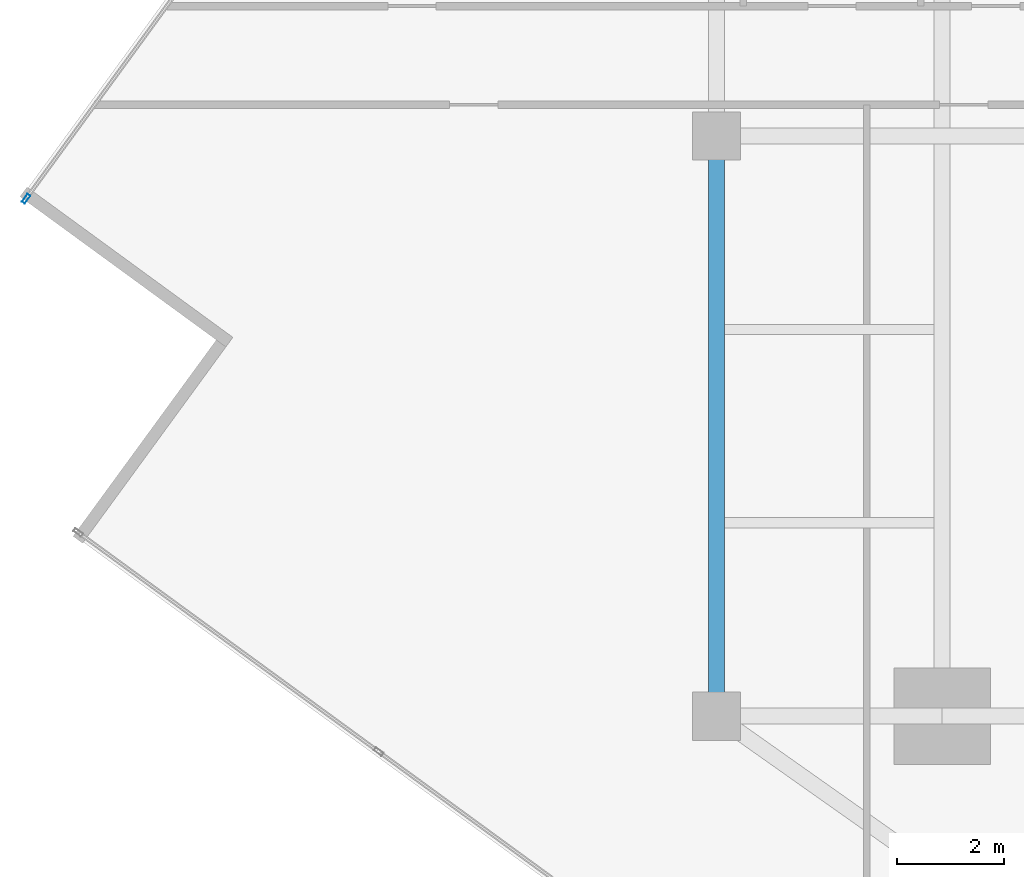
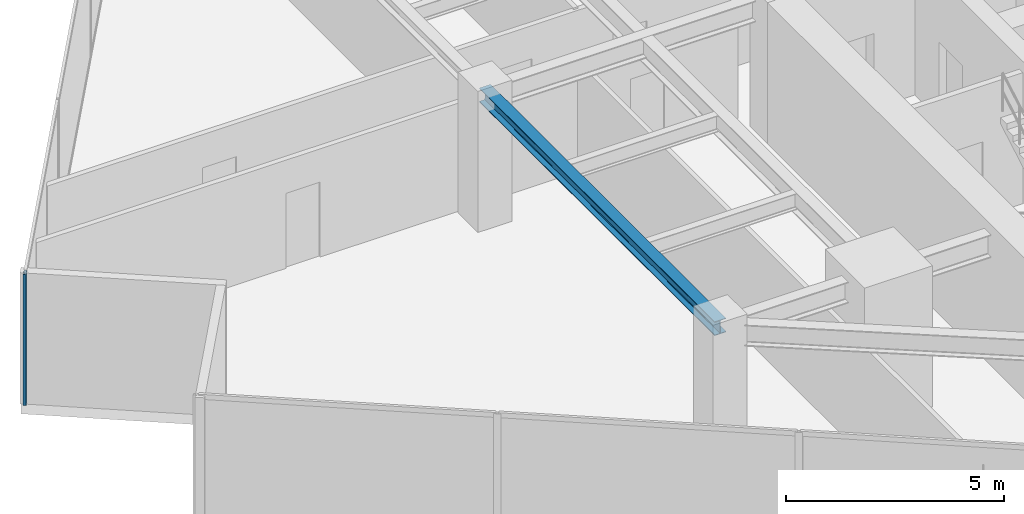
# One storey, part 6 of 25: 1 beam, 1 member, 1 element without a shape of its own.
"""IFC4 building model written with IfcOpenShell, lengths in metres."""

from ifc_helpers import new_model, si_unit, direction, frame, origin, origin_2d, place, context, subcontext, project, spatial, hollow_rectangle, i_section, extrude, source, transform, mapped, material, material_profile, profile_set, type_object, type_shapes, element, aggregate, save


model = new_model("IFC4")

# Units and contexts
model_context = context("Model", 3, precision=1e-05, world=origin(), true_north=direction((0.0, 1.0)))
body_context = subcontext(model_context, "Body", "Model", "MODEL_VIEW")
ifc_project = project(units=[si_unit("LENGTHUNIT", "METRE"), si_unit("AREAUNIT", "SQUARE_METRE"), si_unit("VOLUMEUNIT", "CUBIC_METRE"), si_unit("PLANEANGLEUNIT", "RADIAN"), si_unit("MASSUNIT", "GRAM", prefix="KILO")], contexts=[model_context])

# Site, building, storey
site_placement = place(None, origin())
site = spatial("IfcSite", under=ifc_project, at=site_placement, CompositionType="ELEMENT")
building_placement = place(site_placement, origin())
building = spatial("IfcBuilding", under=site, at=building_placement, Name="Krantzveldt Concourse Tower", CompositionType="ELEMENT")
storey_placement = place(building_placement, frame((0.0, 0.0, 193.60009765625)))
storey = spatial("IfcBuildingStorey", under=building, at=storey_placement, Name="L47", CompositionType="ELEMENT", Elevation=193.60009765625)

# Beam
ifc_material_1 = material(Name="Steel S355JR", Category="steel")
ifc_material_profile_1 = material_profile(ifc_material_1, i_section(OverallWidth=0.300048828125, OverallDepth=0.389892578125, WebThickness=0.010986328125, FlangeThickness=0.01904296875, FilletRadius=0.027099609375, at=origin_2d()), Name="Steel S355JR", Category="steel")
ifc_profile_set_1 = profile_set([ifc_material_profile_1], Name="Steel S355JR - HEA 400")
beam_type = type_object("IfcBeamType", Name="BM-SP-HEA400", PredefinedType="SPANDREL", material=ifc_profile_set_1)
shared_shape_1 = source(origin(), body_context, "Body", "SweptSolid", [
    extrude(i_section(OverallWidth=0.300048828125, OverallDepth=0.389892578125, WebThickness=0.010986328125, FlangeThickness=0.01904296875, FilletRadius=0.027099609375, at=origin_2d()), origin(), (0.0, 0.0, 1.0), 10.800048828125),
])
type_shapes(beam_type, [shared_shape_1])
beam_placement = place(storey_placement, frame((21.0, 15.89990234375, 3.474853515625), z_axis=(0.0, 1.0, 0.0), x_axis=(-1.0, 0.0, 0.0)))
element("IfcBeam", 1, at=beam_placement, inside=storey, type_object=beam_type, Name="L47 Tower Girder SP-R01", PredefinedType="SPANDREL", context=body_context, shape_type="MappedRepresentation", body=[
    mapped(shared_shape_1, transform((0.0, 0.0, 0.0), x_axis=(1.0, 0.0, 0.0), y_axis=(0.0, 1.0, 0.0), z_axis=(0.0, 0.0, 1.0), scale=1.0)),
])

# Curtain wall, member
ifc_material_2 = material(Name="Anodised aluminium 6063-T6", Category="aluminium")
curtain_wall_type = type_object("IfcCurtainWallType", Name="CW3", PredefinedType="USERDEFINED", material=ifc_material_2)
curtain_wall_placement = place(storey_placement, origin())
curtain_wall = element("IfcCurtainWall", 2, at=curtain_wall_placement, inside=storey, type_object=curtain_wall_type, Name="CW-L47-F01", ObjectType="UNITISED CURTAIN WALL", PredefinedType="USERDEFINED")
ifc_material_profile_2 = material_profile(ifc_material_2, hollow_rectangle(XDim=0.070068359375, YDim=0.179931640625, WallThickness=0.0048828125, at=origin_2d()), Name="Anodised aluminium 6063-T6", Category="aluminium")
ifc_profile_set_2 = profile_set([ifc_material_profile_2], Name="Anodised aluminium 6063-T6 - ALU-MULL 180x70x5")
member_type = type_object("IfcMemberType", Name="CW-MUL-180", PredefinedType="MULLION", material=ifc_profile_set_2)
shared_shape_2 = source(origin(), body_context, "Body", "SweptSolid", [
    extrude(hollow_rectangle(XDim=0.070068359375, YDim=0.179931640625, WallThickness=0.0048828125, at=origin_2d()), origin(), (0.0, 0.0, 1.0), 3.669921875),
])
type_shapes(member_type, [shared_shape_2])
member_placement = place(storey_placement, frame((8.145751953125, 25.53173828125, 0.0), z_axis=(0.0, 0.0, 1.0), x_axis=(0.807732735781, -0.589548833895, 0.0)))
member = element("IfcMember", 3, at=member_placement, type_object=member_type, Name="CW-Z34 mullion 6", PredefinedType="MULLION", context=body_context, shape_type="MappedRepresentation", body=[
    mapped(shared_shape_2, transform((0.0, 0.0, 0.0), x_axis=(1.0, 0.0, 0.0), y_axis=(0.0, 1.0, 0.0), z_axis=(0.0, 0.0, 1.0), scale=1.0)),
])
aggregate(curtain_wall, [member])

save(model, "model.ifc")
